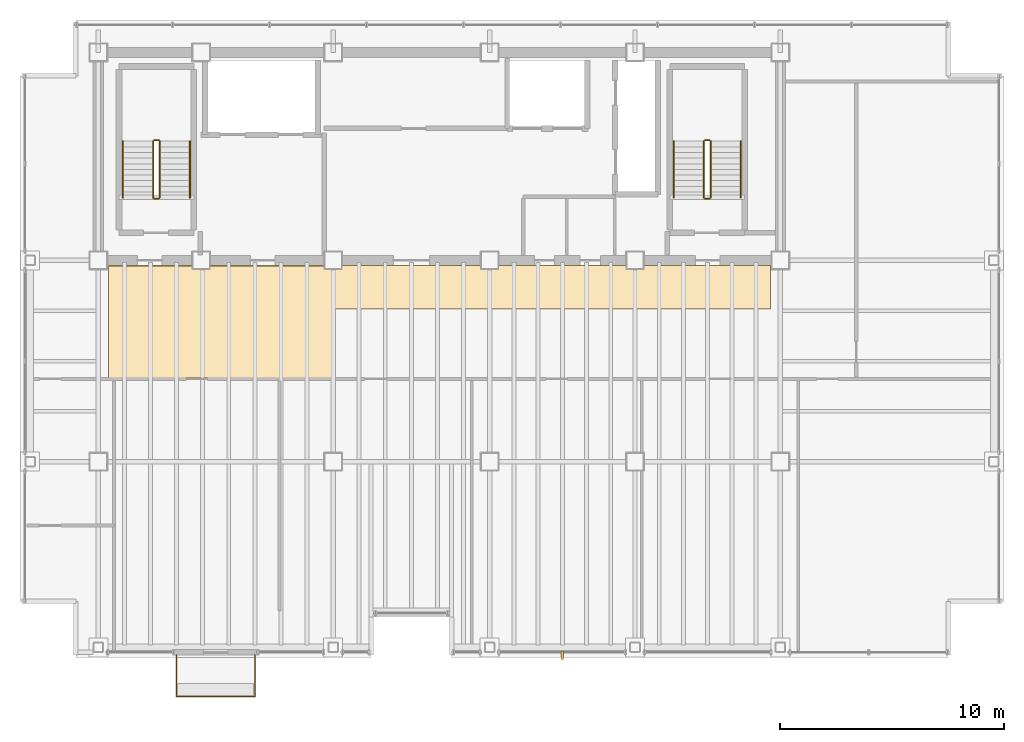
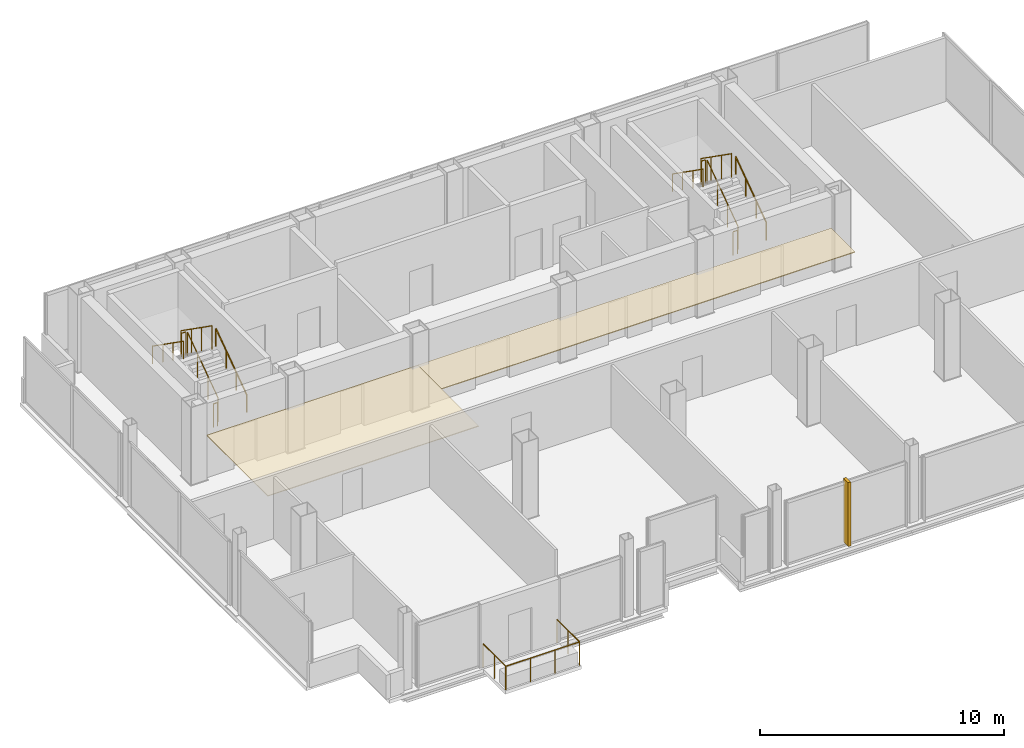
# One storey, part 15 of 15: 13 railings, 2 coverings, 1 shading device.
"""IFC4 building model written with IfcOpenShell, lengths in metres."""

from ifc_helpers import new_model, si_unit, direction, frame, origin, origin_2d, place, context, subcontext, project, spatial, polyline, rectangle, circle, outline, extrude, material, layer, layer_set, type_object, element, save


model = new_model("IFC4")

# Units and contexts
model_context = context("Model", 3, precision=1e-05, world=origin(), true_north=direction((0.0, 1.0)))
body_context = subcontext(model_context, "Body", "Model", "MODEL_VIEW")
ifc_project = project(units=[si_unit("LENGTHUNIT", "METRE"), si_unit("AREAUNIT", "SQUARE_METRE"), si_unit("VOLUMEUNIT", "CUBIC_METRE"), si_unit("PLANEANGLEUNIT", "RADIAN"), si_unit("MASSUNIT", "GRAM", prefix="KILO")], contexts=[model_context])

# Site, building, storey
site_placement = place(None, origin())
site = spatial("IfcSite", under=ifc_project, at=site_placement, CompositionType="ELEMENT")
building_placement = place(site_placement, origin())
building = spatial("IfcBuilding", under=site, at=building_placement, Name="Noeulbin Bourse Tower", CompositionType="ELEMENT")
storey_placement = place(building_placement, frame((0.0, 0.0, 215.0)))
storey = spatial("IfcBuildingStorey", under=building, at=storey_placement, Name="L53", CompositionType="ELEMENT", Elevation=215.0)

# Coverings
ifc_material_1 = material(Name="Perforated Mineral-Fibre Acoustic Tile")
ifc_layer_1 = layer(ifc_material_1, 0.0400390625)
ifc_layer_set_1 = layer_set([ifc_layer_1], Name="Perforated Mineral-Fibre Acoustic Tile")
covering_type_1 = type_object("IfcCoveringType", Name="COV-CEIL-ACT", PredefinedType="CEILING", material=ifc_layer_set_1)
covering_1_placement = place(storey_placement, frame((0.0, 0.0, 2.110107421875)))
element("IfcCovering", 1, at=covering_1_placement, inside=storey, type_object=covering_type_1, Name="Trading Suite Acoustic Ceiling L53", PredefinedType="CEILING", context=body_context, shape_type="SweptSolid", body=[
    extrude(outline(polyline([(13.949951171875, 23.75), (23.949951171875, 23.75), (23.949951171875, 28.75), (13.949951171875, 28.75), (13.949951171875, 23.75)])), origin(), (0.0, 0.0, 1.0), 0.039794921875),
])
ifc_material_2 = material(Name="Linear Anodised Aluminium Baffle Ceiling", Category="aluminium")
ifc_layer_2 = layer(ifc_material_2, 0.050048828125)
ifc_layer_set_2 = layer_set([ifc_layer_2], Name="Linear Anodised Aluminium Baffle Ceiling")
covering_type_2 = type_object("IfcCoveringType", Name="COV-CEIL-MTL", PredefinedType="CEILING", material=ifc_layer_set_2)
covering_2_placement = place(storey_placement, frame((0.0, 0.0, 2.110107421875)))
element("IfcCovering", 2, at=covering_2_placement, inside=storey, type_object=covering_type_2, Name="Corridor Suspended Ceiling L53", PredefinedType="CEILING", context=body_context, shape_type="SweptSolid", body=[
    extrude(outline(polyline([(13.949951171875, 26.820068359375), (43.550048828125, 26.820068359375), (43.550048828125, 28.780029296875), (13.949951171875, 28.780029296875), (13.949951171875, 26.820068359375)])), origin(), (0.0, 0.0, 1.0), 0.039794921875),
])

# Railings
ifc_material_3 = material(Name="Laminated SentryGlas and Stainless Steel 316", Category="steel")
ifc_layer_3 = layer(ifc_material_3, 0.06005859375)
ifc_layer_set_3 = layer_set([ifc_layer_3], Name="Laminated SentryGlas and Stainless Steel 316")
railing_type_1 = type_object("IfcRailingType", Name="RLG-BAL-1200", PredefinedType="BALUSTRADE", material=ifc_layer_set_3)
railing_1_placement = place(storey_placement, frame((17.0, 11.3701171875, 0.0)))
element("IfcRailing", 3, at=railing_1_placement, inside=storey, type_object=railing_type_1, Name="Tree-Balcony Glazed Balustrade L53", PredefinedType="BALUSTRADE", context=body_context, shape_type="SweptSolid", body=[
    extrude(circle(Radius=0.02392578125, at=origin_2d()), frame((0.0, 0.0, 1.17578125), z_axis=(0.0, -1.0, 0.0), x_axis=(1.0, 0.0, 0.0)), (0.0, 0.0, 1.0), 1.8701171875),
    extrude(circle(Radius=0.02392578125, at=origin_2d()), frame((0.0, -1.8701171875, 1.17578125), z_axis=(1.0, 0.0, 0.0), x_axis=(0.0, 1.0, 0.0)), (0.0, 0.0, 1.0), 3.5),
    extrude(circle(Radius=0.02392578125, at=origin_2d()), frame((3.5, -1.8701171875, 1.17578125), z_axis=(0.0, 1.0, 0.0), x_axis=(-1.0, 0.0, 0.0)), (0.0, 0.0, 1.0), 1.8701171875),
    extrude(circle(Radius=0.02099609375, at=origin_2d()), origin(), (0.0, 0.0, 1.0), 1.15185546875),
    extrude(circle(Radius=0.02099609375, at=origin_2d()), frame((0.0, -0.93505859375, 0.0)), (0.0, 0.0, 1.0), 1.15185546875),
    extrude(circle(Radius=0.02099609375, at=origin_2d()), frame((0.0, -1.8701171875, 0.0)), (0.0, 0.0, 1.0), 1.15185546875),
    extrude(circle(Radius=0.02099609375, at=origin_2d()), frame((1.166748046875, -1.8701171875, 0.0)), (0.0, 0.0, 1.0), 1.15185546875),
    extrude(circle(Radius=0.02099609375, at=origin_2d()), frame((2.333251953125, -1.8701171875, 0.0)), (0.0, 0.0, 1.0), 1.15185546875),
    extrude(circle(Radius=0.02099609375, at=origin_2d()), frame((3.5, -1.8701171875, 0.0)), (0.0, 0.0, 1.0), 1.15185546875),
    extrude(circle(Radius=0.02099609375, at=origin_2d()), frame((3.5, -0.93505859375, 0.0)), (0.0, 0.0, 1.0), 1.15185546875),
    extrude(circle(Radius=0.02099609375, at=origin_2d()), frame((3.5, 0.0, 0.0)), (0.0, 0.0, 1.0), 1.15185546875),
])
ifc_material_4 = material(Name="Painted Tubular Steel S355", Category="steel")
ifc_layer_4 = layer(ifc_material_4, 0.048095703125)
ifc_layer_set_4 = layer_set([ifc_layer_4], Name="Painted Tubular Steel S355")
railing_type_2 = type_object("IfcRailingType", Name="RLG-STR-GRD", PredefinedType="GUARDRAIL", material=ifc_layer_set_4)
railing_2_placement = place(storey_placement, frame((16.25, 31.81005859375, 0.17724609375)))
element("IfcRailing", 4, at=railing_2_placement, inside=storey, type_object=railing_type_2, Name="L53 ST-1 stair guard 1", PredefinedType="GUARDRAIL", context=body_context, shape_type="SweptSolid", body=[
    extrude(circle(Radius=0.02392578125, at=origin_2d()), frame((0.0, 0.0, 1.17578125), z_axis=(0.0, 0.817904474719, 0.575354039036), x_axis=(-1.0, 0.0, 0.0)), (0.0, 0.0, 1.0), 3.0810546875),
    extrude(circle(Radius=0.02099609375, at=origin_2d()), origin(), (0.0, 0.0, 1.0), 1.15185546875),
    extrude(circle(Radius=0.02099609375, at=origin_2d()), frame((0.0, 0.840087890625, 0.5908203125)), (0.0, 0.0, 1.0), 1.15185546875),
    extrude(circle(Radius=0.02099609375, at=origin_2d()), frame((0.0, 1.679931640625, 1.181884765625)), (0.0, 0.0, 1.0), 1.15185546875),
    extrude(circle(Radius=0.02099609375, at=origin_2d()), frame((0.0, 2.52001953125, 1.772705078125)), (0.0, 0.0, 1.0), 1.15185546875),
])
railing_3_placement = place(storey_placement, frame((16.199951171875, 34.3798828125, 1.949951171875)))
element("IfcRailing", 5, at=railing_3_placement, inside=storey, type_object=railing_type_2, Name="L53 ST-1 stair guard 2", PredefinedType="GUARDRAIL", context=body_context, shape_type="SweptSolid", body=[
    extrude(circle(Radius=0.02392578125, at=origin_2d()), frame((0.0, 0.0, 1.17578125), z_axis=(-1.0, 0.0, 0.0), x_axis=(0.0, -1.0, 0.0)), (0.0, 0.0, 1.0), 0.199951171875),
    extrude(circle(Radius=0.02099609375, at=origin_2d()), origin(), (0.0, 0.0, 1.0), 1.15185546875),
    extrude(circle(Radius=0.02099609375, at=origin_2d()), frame((-0.199951171875, 0.0, 0.0)), (0.0, 0.0, 1.0), 1.15185546875),
])
railing_4_placement = place(storey_placement, frame((15.949951171875, 34.330078125, 2.127197265625)))
element("IfcRailing", 6, at=railing_4_placement, inside=storey, type_object=railing_type_2, Name="L53 ST-1 stair guard 3", PredefinedType="GUARDRAIL", context=body_context, shape_type="SweptSolid", body=[
    extrude(circle(Radius=0.02392578125, at=origin_2d()), frame((0.0, 0.0, 1.17578125), z_axis=(0.0, -0.817904474719, 0.575354039036), x_axis=(1.0, 0.0, 0.0)), (0.0, 0.0, 1.0), 3.0810546875),
    extrude(circle(Radius=0.02099609375, at=origin_2d()), origin(), (0.0, 0.0, 1.0), 1.15185546875),
    extrude(circle(Radius=0.02099609375, at=origin_2d()), frame((0.0, -0.840087890625, 0.5908203125)), (0.0, 0.0, 1.0), 1.15185546875),
    extrude(circle(Radius=0.02099609375, at=origin_2d()), frame((0.0, -1.679931640625, 1.181884765625)), (0.0, 0.0, 1.0), 1.15185546875),
    extrude(circle(Radius=0.02099609375, at=origin_2d()), frame((0.0, -2.52001953125, 1.772705078125)), (0.0, 0.0, 1.0), 1.15185546875),
])
railing_5_placement = place(storey_placement, frame((16.199951171875, 31.760009765625, 0.0)))
element("IfcRailing", 7, at=railing_5_placement, inside=storey, type_object=railing_type_2, Name="L53 ST-1 stair guard 4", PredefinedType="GUARDRAIL", context=body_context, shape_type="SweptSolid", body=[
    extrude(circle(Radius=0.02392578125, at=origin_2d()), frame((0.0, 0.0, 1.17578125), z_axis=(-1.0, 0.0, 0.0), x_axis=(0.0, -1.0, 0.0)), (0.0, 0.0, 1.0), 0.199951171875),
    extrude(circle(Radius=0.02099609375, at=origin_2d()), origin(), (0.0, 0.0, 1.0), 1.15185546875),
    extrude(circle(Radius=0.02099609375, at=origin_2d()), frame((-0.199951171875, 0.0, 0.0)), (0.0, 0.0, 1.0), 1.15185546875),
])
railing_6_placement = place(storey_placement, frame((40.8798828125, 31.81005859375, 0.17724609375)))
element("IfcRailing", 8, at=railing_6_placement, inside=storey, type_object=railing_type_2, Name="L53 ST-2 stair guard 1", PredefinedType="GUARDRAIL", context=body_context, shape_type="SweptSolid", body=[
    extrude(circle(Radius=0.02392578125, at=origin_2d()), frame((0.0, 0.0, 1.17578125), z_axis=(0.0, 0.817904474719, 0.575354039036), x_axis=(-1.0, 0.0, 0.0)), (0.0, 0.0, 1.0), 3.0810546875),
    extrude(circle(Radius=0.02099609375, at=origin_2d()), origin(), (0.0, 0.0, 1.0), 1.15185546875),
    extrude(circle(Radius=0.02099609375, at=origin_2d()), frame((0.0, 0.840087890625, 0.5908203125)), (0.0, 0.0, 1.0), 1.15185546875),
    extrude(circle(Radius=0.02099609375, at=origin_2d()), frame((0.0, 1.679931640625, 1.181884765625)), (0.0, 0.0, 1.0), 1.15185546875),
    extrude(circle(Radius=0.02099609375, at=origin_2d()), frame((0.0, 2.52001953125, 1.772705078125)), (0.0, 0.0, 1.0), 1.15185546875),
])
railing_7_placement = place(storey_placement, frame((40.830078125, 34.3798828125, 1.949951171875)))
element("IfcRailing", 9, at=railing_7_placement, inside=storey, type_object=railing_type_2, Name="L53 ST-2 stair guard 2", PredefinedType="GUARDRAIL", context=body_context, shape_type="SweptSolid", body=[
    extrude(circle(Radius=0.02392578125, at=origin_2d()), frame((0.0, 0.0, 1.17578125), z_axis=(-1.0, 0.0, 0.0), x_axis=(0.0, -1.0, 0.0)), (0.0, 0.0, 1.0), 0.2001953125),
    extrude(circle(Radius=0.02099609375, at=origin_2d()), origin(), (0.0, 0.0, 1.0), 1.15185546875),
    extrude(circle(Radius=0.02099609375, at=origin_2d()), frame((-0.2001953125, 0.0, 0.0)), (0.0, 0.0, 1.0), 1.15185546875),
])
railing_8_placement = place(storey_placement, frame((40.580078125, 34.330078125, 2.127197265625)))
element("IfcRailing", 10, at=railing_8_placement, inside=storey, type_object=railing_type_2, Name="L53 ST-2 stair guard 3", PredefinedType="GUARDRAIL", context=body_context, shape_type="SweptSolid", body=[
    extrude(circle(Radius=0.02392578125, at=origin_2d()), frame((0.0, 0.0, 1.17578125), z_axis=(0.0, -0.817904474719, 0.575354039036), x_axis=(1.0, 0.0, 0.0)), (0.0, 0.0, 1.0), 3.0810546875),
    extrude(circle(Radius=0.02099609375, at=origin_2d()), origin(), (0.0, 0.0, 1.0), 1.15185546875),
    extrude(circle(Radius=0.02099609375, at=origin_2d()), frame((0.0, -0.840087890625, 0.5908203125)), (0.0, 0.0, 1.0), 1.15185546875),
    extrude(circle(Radius=0.02099609375, at=origin_2d()), frame((0.0, -1.679931640625, 1.181884765625)), (0.0, 0.0, 1.0), 1.15185546875),
    extrude(circle(Radius=0.02099609375, at=origin_2d()), frame((0.0, -2.52001953125, 1.772705078125)), (0.0, 0.0, 1.0), 1.15185546875),
])
railing_9_placement = place(storey_placement, frame((40.830078125, 31.760009765625, 0.0)))
element("IfcRailing", 11, at=railing_9_placement, inside=storey, type_object=railing_type_2, Name="L53 ST-2 stair guard 4", PredefinedType="GUARDRAIL", context=body_context, shape_type="SweptSolid", body=[
    extrude(circle(Radius=0.02392578125, at=origin_2d()), frame((0.0, 0.0, 1.17578125), z_axis=(-1.0, 0.0, 0.0), x_axis=(0.0, -1.0, 0.0)), (0.0, 0.0, 1.0), 0.2001953125),
    extrude(circle(Radius=0.02099609375, at=origin_2d()), origin(), (0.0, 0.0, 1.0), 1.15185546875),
    extrude(circle(Radius=0.02099609375, at=origin_2d()), frame((-0.2001953125, 0.0, 0.0)), (0.0, 0.0, 1.0), 1.15185546875),
])
ifc_material_5 = material(Name="Brushed Stainless Steel 316", Category="steel")
ifc_layer_5 = layer(ifc_material_5, 0.048095703125)
ifc_layer_set_5 = layer_set([ifc_layer_5], Name="Brushed Stainless Steel 316")
railing_type_3 = type_object("IfcRailingType", Name="RLG-STR-HND", PredefinedType="HANDRAIL", material=ifc_layer_set_5)
railing_10_placement = place(storey_placement, frame((17.60009765625, 31.81005859375, 0.17724609375)))
element("IfcRailing", 12, at=railing_10_placement, inside=storey, type_object=railing_type_3, Name="L53 ST-1 stair handrail 1", PredefinedType="HANDRAIL", context=body_context, shape_type="SweptSolid", body=[
    extrude(circle(Radius=0.02392578125, at=origin_2d()), frame((0.0, 0.0, 0.8759765625), z_axis=(0.0, 0.817904474719, 0.575354039036), x_axis=(-1.0, 0.0, 0.0)), (0.0, 0.0, 1.0), 3.0810546875),
    extrude(circle(Radius=0.02099609375, at=origin_2d()), origin(), (0.0, 0.0, 1.0), 0.851806640625),
    extrude(circle(Radius=0.02099609375, at=origin_2d()), frame((0.0, 0.840087890625, 0.5908203125)), (0.0, 0.0, 1.0), 0.851806640625),
    extrude(circle(Radius=0.02099609375, at=origin_2d()), frame((0.0, 1.679931640625, 1.181884765625)), (0.0, 0.0, 1.0), 0.851806640625),
    extrude(circle(Radius=0.02099609375, at=origin_2d()), frame((0.0, 2.52001953125, 1.772705078125)), (0.0, 0.0, 1.0), 0.851806640625),
])
railing_11_placement = place(storey_placement, frame((14.60009765625, 34.330078125, 2.127197265625)))
element("IfcRailing", 13, at=railing_11_placement, inside=storey, type_object=railing_type_3, Name="L53 ST-1 stair handrail 2", PredefinedType="HANDRAIL", context=body_context, shape_type="SweptSolid", body=[
    extrude(circle(Radius=0.02392578125, at=origin_2d()), frame((0.0, 0.0, 0.8759765625), z_axis=(0.0, -0.817904474719, 0.575354039036), x_axis=(1.0, 0.0, 0.0)), (0.0, 0.0, 1.0), 3.0810546875),
    extrude(circle(Radius=0.02099609375, at=origin_2d()), origin(), (0.0, 0.0, 1.0), 0.851806640625),
    extrude(circle(Radius=0.02099609375, at=origin_2d()), frame((0.0, -0.840087890625, 0.5908203125)), (0.0, 0.0, 1.0), 0.851806640625),
    extrude(circle(Radius=0.02099609375, at=origin_2d()), frame((0.0, -1.679931640625, 1.181884765625)), (0.0, 0.0, 1.0), 0.851806640625),
    extrude(circle(Radius=0.02099609375, at=origin_2d()), frame((0.0, -2.52001953125, 1.772705078125)), (0.0, 0.0, 1.0), 0.851806640625),
])
railing_12_placement = place(storey_placement, frame((42.22998046875, 31.81005859375, 0.17724609375)))
element("IfcRailing", 14, at=railing_12_placement, inside=storey, type_object=railing_type_3, Name="L53 ST-2 stair handrail 1", PredefinedType="HANDRAIL", context=body_context, shape_type="SweptSolid", body=[
    extrude(circle(Radius=0.02392578125, at=origin_2d()), frame((0.0, 0.0, 0.8759765625), z_axis=(0.0, 0.817904474719, 0.575354039036), x_axis=(-1.0, 0.0, 0.0)), (0.0, 0.0, 1.0), 3.0810546875),
    extrude(circle(Radius=0.02099609375, at=origin_2d()), origin(), (0.0, 0.0, 1.0), 0.851806640625),
    extrude(circle(Radius=0.02099609375, at=origin_2d()), frame((0.0, 0.840087890625, 0.5908203125)), (0.0, 0.0, 1.0), 0.851806640625),
    extrude(circle(Radius=0.02099609375, at=origin_2d()), frame((0.0, 1.679931640625, 1.181884765625)), (0.0, 0.0, 1.0), 0.851806640625),
    extrude(circle(Radius=0.02099609375, at=origin_2d()), frame((0.0, 2.52001953125, 1.772705078125)), (0.0, 0.0, 1.0), 0.851806640625),
])
railing_13_placement = place(storey_placement, frame((39.22998046875, 34.330078125, 2.127197265625)))
element("IfcRailing", 15, at=railing_13_placement, inside=storey, type_object=railing_type_3, Name="L53 ST-2 stair handrail 2", PredefinedType="HANDRAIL", context=body_context, shape_type="SweptSolid", body=[
    extrude(circle(Radius=0.02392578125, at=origin_2d()), frame((0.0, 0.0, 0.8759765625), z_axis=(0.0, -0.817904474719, 0.575354039036), x_axis=(1.0, 0.0, 0.0)), (0.0, 0.0, 1.0), 3.0810546875),
    extrude(circle(Radius=0.02099609375, at=origin_2d()), origin(), (0.0, 0.0, 1.0), 0.851806640625),
    extrude(circle(Radius=0.02099609375, at=origin_2d()), frame((0.0, -0.840087890625, 0.5908203125)), (0.0, 0.0, 1.0), 0.851806640625),
    extrude(circle(Radius=0.02099609375, at=origin_2d()), frame((0.0, -1.679931640625, 1.181884765625)), (0.0, 0.0, 1.0), 0.851806640625),
    extrude(circle(Radius=0.02099609375, at=origin_2d()), frame((0.0, -2.52001953125, 1.772705078125)), (0.0, 0.0, 1.0), 0.851806640625),
])

# Shading device
ifc_material_6 = material(Name="Anodised Aluminium 6063-T6", Category="aluminium")
ifc_layer_6 = layer(ifc_material_6, 3.199951171875)
ifc_layer_set_6 = layer_set([ifc_layer_6], Name="Anodised Aluminium 6063-T6")
shading_device_type = type_object("IfcShadingDeviceType", Name="SHD-FIN-400", PredefinedType="USERDEFINED", material=ifc_layer_set_6)
shading_device_placement = place(storey_placement, frame((34.25, 11.35009765625, 0.14990234375), z_axis=(0.0, 0.0, 1.0), x_axis=(1.0, 0.0, 0.0)))
element("IfcShadingDevice", 16, at=shading_device_placement, inside=storey, type_object=shading_device_type, Name="Vertical Solar Fin SN-L53-2", ObjectType="SUNSHADE", PredefinedType="USERDEFINED", context=body_context, shape_type="SweptSolid", body=[
    extrude(rectangle(XDim=0.1201171875, YDim=0.3798828125, at=origin_2d()), origin(), (0.0, 0.0, 1.0), 3.199951171875),
])

save(model, "model.ifc")
